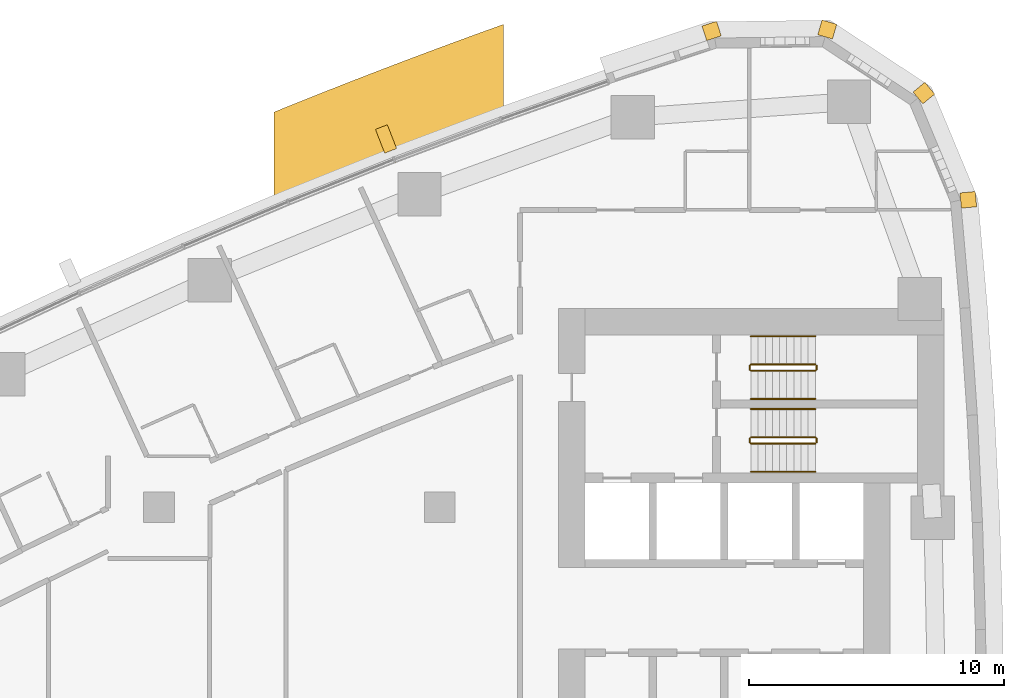
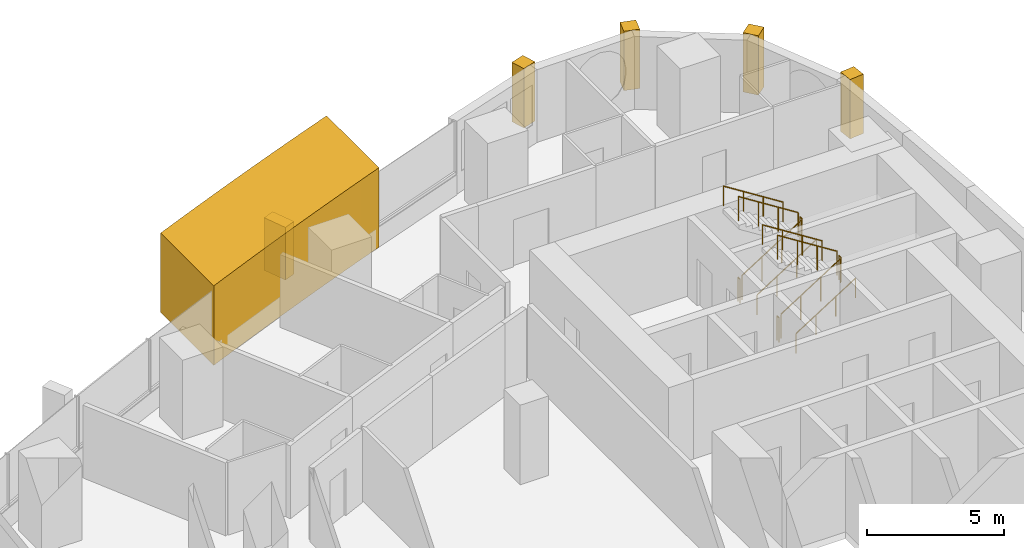
# One storey, part 17 of 17: 12 railings, 6 coverings.
"""IFC4 building model written with IfcOpenShell, lengths in metres."""

from ifc_helpers import new_model, si_unit, direction, frame, frame_2d, origin, origin_2d, place, context, subcontext, project, spatial, polyline, rectangle, circle, outline, extrude, material, layer, layer_set, type_object, element, save


model = new_model("IFC4")

# Units and contexts
model_context = context("Model", 3, precision=1e-05, world=origin(), true_north=direction((0.0, 1.0)))
body_context = subcontext(model_context, "Body", "Model", "MODEL_VIEW")
ifc_project = project(units=[si_unit("LENGTHUNIT", "METRE"), si_unit("AREAUNIT", "SQUARE_METRE"), si_unit("VOLUMEUNIT", "CUBIC_METRE"), si_unit("PLANEANGLEUNIT", "RADIAN"), si_unit("MASSUNIT", "GRAM", prefix="KILO")], contexts=[model_context])

# Site, building, storey
site_placement = place(None, origin())
site = spatial("IfcSite", under=ifc_project, at=site_placement, CompositionType="ELEMENT")
building_placement = place(site_placement, origin())
building = spatial("IfcBuilding", under=site, at=building_placement, Name="Ostrand Prow Hotel Tower", CompositionType="ELEMENT")
storey_placement = place(building_placement, frame((0.0, 0.0, 102.64990234375)))
storey = spatial("IfcBuildingStorey", under=building, at=storey_placement, Name="L24", CompositionType="ELEMENT", Elevation=102.64990234375)

# Coverings
ifc_material_1 = material(Name="Limestone cladding", Category="masonry")
ifc_layer_1 = layer(ifc_material_1, 5.0)
ifc_layer_set_1 = layer_set([ifc_layer_1], Name="Limestone cladding")
covering_type_1 = type_object("IfcCoveringType", Name="Portal jamb pilaster limestone", PredefinedType="CLADDING", material=ifc_layer_set_1)
covering_1_placement = place(storey_placement, origin())
element("IfcCovering", 1, at=covering_1_placement, inside=storey, type_object=covering_type_1, Name="Portal jamb NB L24", PredefinedType="CLADDING", context=body_context, shape_type="SweptSolid", body=[
    extrude(outline(polyline([(38.5, 20.59423828125), (39.5, 21.006103515625), (40.5, 21.412353515625), (41.5, 21.812744140625), (42.5, 22.207763671875), (43.5, 22.59716796875), (44.5, 22.98095703125), (45.5, 23.359130859375), (46.5, 23.732177734375), (47.5, 24.099609375), (47.5, 27.927490234375), (46.5, 27.566650390625), (45.5, 27.200439453125), (44.5, 26.8291015625), (43.5, 26.4521484375), (42.5, 26.06982421875), (41.5, 25.68212890625), (40.5, 25.2890625), (39.5, 24.890380859375), (38.5, 24.486083984375), (38.5, 20.59423828125)])), origin(), (0.0, 0.0, 1.0), 3.550048828125),
])
ifc_material_2 = material(Name="Limestone cladding", Category="masonry")
ifc_layer_2 = layer(ifc_material_2, 0.5)
ifc_layer_set_2 = layer_set([ifc_layer_2], Name="Limestone cladding")
covering_type_2 = type_object("IfcCoveringType", Name="Precast stone fin 500x900", PredefinedType="CLADDING", material=ifc_layer_set_2)
covering_2_placement = place(storey_placement, frame((43.0791015625, 22.97021484375, 0.900146484375), z_axis=(0.0, 0.0, 1.0), x_axis=(-0.361774694157, 0.932265558019, 0.0)))
element("IfcCovering", 2, at=covering_2_placement, inside=storey, type_object=covering_type_2, Name="Stone fin N 3", PredefinedType="CLADDING", context=body_context, shape_type="SweptSolid", body=[
    extrude(rectangle(XDim=1.0, YDim=0.5, at=frame_2d((0.5, 0.0))), origin(), (0.0, 0.0, 1.0), 2.349853515625),
])
ifc_material_3 = material(Name="Limestone cladding", Category="masonry")
ifc_layer_3 = layer(ifc_material_3, 0.60009765625)
ifc_layer_set_3 = layer_set([ifc_layer_3], Name="Limestone cladding")
covering_type_3 = type_object("IfcCoveringType", Name="Precast stone prow rib 600x600", PredefinedType="CLADDING", material=ifc_layer_set_3)
for number, where, z_axis, x_axis, name in (
    (3, (65.41650390625, 21.02099609375, 0.60009765625), (0.0, 0.0, 1.0), (0.99529571972, 0.096883591531, 0.0), "Stone corner rib 15a"),
    (4, (63.74365234375, 25.043212890625, 0.60009765625), (0.0, 0.0, 1.0), (0.770318500913, 0.637659319034, 0.0), "Stone corner rib 16a"),
):
    element("IfcCovering", number, at=place(storey_placement, frame(where, z_axis=z_axis, x_axis=x_axis)), inside=storey, type_object=covering_type_3, Name=name, PredefinedType="CLADDING", context=body_context, shape_type="SweptSolid", body=[
        extrude(rectangle(XDim=0.599853515625, YDim=0.60009765625, at=frame_2d((0.2998046875, 0.0))), origin(), (0.0, 0.0, 1.0), 2.64990234375),
    ])
covering_3_placement = place(storey_placement, frame((60.104736328125, 27.437744140625, 0.60009765625), z_axis=(0.0, 0.0, 1.0), x_axis=(0.280734221166, 0.959785547436, 0.0)))
element("IfcCovering", 5, at=covering_3_placement, inside=storey, type_object=covering_type_3, Name="Stone corner rib 17a", PredefinedType="CLADDING", context=body_context, shape_type="SweptSolid", body=[
    extrude(rectangle(XDim=0.60009765625, YDim=0.60009765625, at=frame_2d((0.300048828125, 0.0))), origin(), (0.0, 0.0, 1.0), 2.64990234375),
])
covering_4_placement = place(storey_placement, frame((55.7490234375, 27.3828125, 0.60009765625), z_axis=(0.0, 0.0, 1.0), x_axis=(-0.305218682065, 0.952282288042, 0.0)))
element("IfcCovering", 6, at=covering_4_placement, inside=storey, type_object=covering_type_3, Name="Stone corner rib 17b", PredefinedType="CLADDING", context=body_context, shape_type="SweptSolid", body=[
    extrude(rectangle(XDim=0.599853515625, YDim=0.60009765625, at=frame_2d((0.2998046875, 0.0))), origin(), (0.0, 0.0, 1.0), 2.64990234375),
])

# Railings
ifc_material_4 = material(Name="Painted steel", Category="steel")
railing_type_1 = type_object("IfcRailingType", Name="Stair guard 1100", PredefinedType="GUARDRAIL", material=ifc_material_4)
railing_1_placement = place(storey_placement, frame((57.199951171875, 11.5, 0.177490234375)))
element("IfcRailing", 7, at=railing_1_placement, inside=storey, type_object=railing_type_1, Name="L24 ST1C stair guard 1", PredefinedType="GUARDRAIL", context=body_context, shape_type="SweptSolid", body=[
    extrude(circle(Radius=0.02392578125, at=origin_2d()), frame((0.0, 0.0, 1.076171875), z_axis=(0.84456994832, 0.0, 0.535445237532), x_axis=(0.0, 1.0, 0.0)), (0.0, 0.0, 1.0), 2.98388671875),
    extrude(circle(Radius=0.02099609375, at=origin_2d()), origin(), (0.0, 0.0, 1.0), 1.052001953125),
    extrude(circle(Radius=0.02099609375, at=origin_2d()), frame((0.840087890625, 0.0, 0.532470703125)), (0.0, 0.0, 1.0), 1.052001953125),
    extrude(circle(Radius=0.02099609375, at=origin_2d()), frame((1.679931640625, 0.0, 1.065185546875)), (0.0, 0.0, 1.0), 1.052001953125),
    extrude(circle(Radius=0.02099609375, at=origin_2d()), frame((2.52001953125, 0.0, 1.59765625)), (0.0, 0.0, 1.0), 1.052001953125),
])
railing_2_placement = place(storey_placement, frame((59.77001953125, 11.550048828125, 1.775146484375)))
element("IfcRailing", 8, at=railing_2_placement, inside=storey, type_object=railing_type_1, Name="L24 ST1C stair guard 2", PredefinedType="GUARDRAIL", context=body_context, shape_type="SweptSolid", body=[
    extrude(circle(Radius=0.02392578125, at=origin_2d()), frame((0.0, 0.0, 1.076171875), z_axis=(0.0, 1.0, 0.0), x_axis=(-1.0, 0.0, 0.0)), (0.0, 0.0, 1.0), 0.14990234375),
    extrude(circle(Radius=0.02099609375, at=origin_2d()), origin(), (0.0, 0.0, 1.0), 1.052001953125),
    extrude(circle(Radius=0.02099609375, at=origin_2d()), frame((0.0, 0.14990234375, 0.0)), (0.0, 0.0, 1.0), 1.052001953125),
])
railing_3_placement = place(storey_placement, frame((59.719970703125, 11.75, 1.95263671875)))
element("IfcRailing", 9, at=railing_3_placement, inside=storey, type_object=railing_type_1, Name="L24 ST1C stair guard 3", PredefinedType="GUARDRAIL", context=body_context, shape_type="SweptSolid", body=[
    extrude(circle(Radius=0.02392578125, at=origin_2d()), frame((0.0, 0.0, 1.076171875), z_axis=(-0.84460694969, 0.0, 0.535386869969), x_axis=(0.0, -1.0, 0.0)), (0.0, 0.0, 1.0), 2.983642578125),
    extrude(circle(Radius=0.02099609375, at=origin_2d()), origin(), (0.0, 0.0, 1.0), 1.052001953125),
    extrude(circle(Radius=0.02099609375, at=origin_2d()), frame((-0.840087890625, 0.0, 0.532470703125)), (0.0, 0.0, 1.0), 1.052001953125),
    extrude(circle(Radius=0.02099609375, at=origin_2d()), frame((-1.679931640625, 0.0, 1.06494140625)), (0.0, 0.0, 1.0), 1.052001953125),
    extrude(circle(Radius=0.02099609375, at=origin_2d()), frame((-2.52001953125, 0.0, 1.597412109375)), (0.0, 0.0, 1.0), 1.052001953125),
])
railing_4_placement = place(storey_placement, frame((57.14990234375, 11.550048828125, 0.0)))
element("IfcRailing", 10, at=railing_4_placement, inside=storey, type_object=railing_type_1, Name="L24 ST1C stair guard 4", PredefinedType="GUARDRAIL", context=body_context, shape_type="SweptSolid", body=[
    extrude(circle(Radius=0.02392578125, at=origin_2d()), frame((0.0, 0.0, 1.076171875), z_axis=(0.0, 1.0, 0.0), x_axis=(-1.0, 0.0, 0.0)), (0.0, 0.0, 1.0), 0.14990234375),
    extrude(circle(Radius=0.02099609375, at=origin_2d()), origin(), (0.0, 0.0, 1.0), 1.052001953125),
    extrude(circle(Radius=0.02099609375, at=origin_2d()), frame((0.0, 0.14990234375, 0.0)), (0.0, 0.0, 1.0), 1.052001953125),
])
railing_5_placement = place(storey_placement, frame((57.199951171875, 14.35009765625, 0.177490234375)))
element("IfcRailing", 11, at=railing_5_placement, inside=storey, type_object=railing_type_1, Name="L24 ST3C stair guard 1", PredefinedType="GUARDRAIL", context=body_context, shape_type="SweptSolid", body=[
    extrude(circle(Radius=0.02392578125, at=origin_2d()), frame((0.0, 0.0, 1.076171875), z_axis=(0.84456994832, 0.0, 0.535445237532), x_axis=(0.0, 1.0, 0.0)), (0.0, 0.0, 1.0), 2.98388671875),
    extrude(circle(Radius=0.02099609375, at=origin_2d()), origin(), (0.0, 0.0, 1.0), 1.052001953125),
    extrude(circle(Radius=0.02099609375, at=origin_2d()), frame((0.840087890625, 0.0, 0.532470703125)), (0.0, 0.0, 1.0), 1.052001953125),
    extrude(circle(Radius=0.02099609375, at=origin_2d()), frame((1.679931640625, 0.0, 1.065185546875)), (0.0, 0.0, 1.0), 1.052001953125),
    extrude(circle(Radius=0.02099609375, at=origin_2d()), frame((2.52001953125, 0.0, 1.59765625)), (0.0, 0.0, 1.0), 1.052001953125),
])
railing_6_placement = place(storey_placement, frame((59.77001953125, 14.39990234375, 1.775146484375)))
element("IfcRailing", 12, at=railing_6_placement, inside=storey, type_object=railing_type_1, Name="L24 ST3C stair guard 2", PredefinedType="GUARDRAIL", context=body_context, shape_type="SweptSolid", body=[
    extrude(circle(Radius=0.02392578125, at=origin_2d()), frame((0.0, 0.0, 1.076171875), z_axis=(0.0, 1.0, 0.0), x_axis=(-1.0, 0.0, 0.0)), (0.0, 0.0, 1.0), 0.150146484375),
    extrude(circle(Radius=0.02099609375, at=origin_2d()), origin(), (0.0, 0.0, 1.0), 1.052001953125),
    extrude(circle(Radius=0.02099609375, at=origin_2d()), frame((0.0, 0.150146484375, 0.0)), (0.0, 0.0, 1.0), 1.052001953125),
])
railing_7_placement = place(storey_placement, frame((59.719970703125, 14.60009765625, 1.95263671875)))
element("IfcRailing", 13, at=railing_7_placement, inside=storey, type_object=railing_type_1, Name="L24 ST3C stair guard 3", PredefinedType="GUARDRAIL", context=body_context, shape_type="SweptSolid", body=[
    extrude(circle(Radius=0.02392578125, at=origin_2d()), frame((0.0, 0.0, 1.076171875), z_axis=(-0.84460694969, 0.0, 0.535386869969), x_axis=(0.0, -1.0, 0.0)), (0.0, 0.0, 1.0), 2.983642578125),
    extrude(circle(Radius=0.02099609375, at=origin_2d()), origin(), (0.0, 0.0, 1.0), 1.052001953125),
    extrude(circle(Radius=0.02099609375, at=origin_2d()), frame((-0.840087890625, 0.0, 0.532470703125)), (0.0, 0.0, 1.0), 1.052001953125),
    extrude(circle(Radius=0.02099609375, at=origin_2d()), frame((-1.679931640625, 0.0, 1.06494140625)), (0.0, 0.0, 1.0), 1.052001953125),
    extrude(circle(Radius=0.02099609375, at=origin_2d()), frame((-2.52001953125, 0.0, 1.597412109375)), (0.0, 0.0, 1.0), 1.052001953125),
])
railing_8_placement = place(storey_placement, frame((57.14990234375, 14.39990234375, 0.0)))
element("IfcRailing", 14, at=railing_8_placement, inside=storey, type_object=railing_type_1, Name="L24 ST3C stair guard 4", PredefinedType="GUARDRAIL", context=body_context, shape_type="SweptSolid", body=[
    extrude(circle(Radius=0.02392578125, at=origin_2d()), frame((0.0, 0.0, 1.076171875), z_axis=(0.0, 1.0, 0.0), x_axis=(-1.0, 0.0, 0.0)), (0.0, 0.0, 1.0), 0.150146484375),
    extrude(circle(Radius=0.02099609375, at=origin_2d()), origin(), (0.0, 0.0, 1.0), 1.052001953125),
    extrude(circle(Radius=0.02099609375, at=origin_2d()), frame((0.0, 0.150146484375, 0.0)), (0.0, 0.0, 1.0), 1.052001953125),
])
ifc_material_5 = material(Name="Stainless steel", Category="steel")
railing_type_2 = type_object("IfcRailingType", Name="Stair handrail 900", PredefinedType="HANDRAIL", material=ifc_material_5)
railing_9_placement = place(storey_placement, frame((57.199951171875, 10.39990234375, 0.177490234375)))
element("IfcRailing", 15, at=railing_9_placement, inside=storey, type_object=railing_type_2, Name="L24 ST1C stair handrail 1", PredefinedType="HANDRAIL", context=body_context, shape_type="SweptSolid", body=[
    extrude(circle(Radius=0.02392578125, at=origin_2d()), frame((0.0, 0.0, 0.8759765625), z_axis=(0.84456994832, 0.0, 0.535445237532), x_axis=(0.0, 1.0, 0.0)), (0.0, 0.0, 1.0), 2.98388671875),
    extrude(circle(Radius=0.02099609375, at=origin_2d()), origin(), (0.0, 0.0, 1.0), 0.851806640625),
    extrude(circle(Radius=0.02099609375, at=origin_2d()), frame((0.840087890625, 0.0, 0.532470703125)), (0.0, 0.0, 1.0), 0.851806640625),
    extrude(circle(Radius=0.02099609375, at=origin_2d()), frame((1.679931640625, 0.0, 1.065185546875)), (0.0, 0.0, 1.0), 0.851806640625),
    extrude(circle(Radius=0.02099609375, at=origin_2d()), frame((2.52001953125, 0.0, 1.59765625)), (0.0, 0.0, 1.0), 0.851806640625),
])
railing_10_placement = place(storey_placement, frame((59.719970703125, 12.85009765625, 1.95263671875)))
element("IfcRailing", 16, at=railing_10_placement, inside=storey, type_object=railing_type_2, Name="L24 ST1C stair handrail 2", PredefinedType="HANDRAIL", context=body_context, shape_type="SweptSolid", body=[
    extrude(circle(Radius=0.02392578125, at=origin_2d()), frame((0.0, 0.0, 0.8759765625), z_axis=(-0.84460694969, 0.0, 0.535386869969), x_axis=(0.0, -1.0, 0.0)), (0.0, 0.0, 1.0), 2.983642578125),
    extrude(circle(Radius=0.02099609375, at=origin_2d()), origin(), (0.0, 0.0, 1.0), 0.851806640625),
    extrude(circle(Radius=0.02099609375, at=origin_2d()), frame((-0.840087890625, 0.0, 0.532470703125)), (0.0, 0.0, 1.0), 0.851806640625),
    extrude(circle(Radius=0.02099609375, at=origin_2d()), frame((-1.679931640625, 0.0, 1.06494140625)), (0.0, 0.0, 1.0), 0.851806640625),
    extrude(circle(Radius=0.02099609375, at=origin_2d()), frame((-2.52001953125, 0.0, 1.597412109375)), (0.0, 0.0, 1.0), 0.851806640625),
])
railing_11_placement = place(storey_placement, frame((57.199951171875, 13.25, 0.177490234375)))
element("IfcRailing", 17, at=railing_11_placement, inside=storey, type_object=railing_type_2, Name="L24 ST3C stair handrail 1", PredefinedType="HANDRAIL", context=body_context, shape_type="SweptSolid", body=[
    extrude(circle(Radius=0.02392578125, at=origin_2d()), frame((0.0, 0.0, 0.8759765625), z_axis=(0.84456994832, 0.0, 0.535445237532), x_axis=(0.0, 1.0, 0.0)), (0.0, 0.0, 1.0), 2.98388671875),
    extrude(circle(Radius=0.02099609375, at=origin_2d()), origin(), (0.0, 0.0, 1.0), 0.851806640625),
    extrude(circle(Radius=0.02099609375, at=origin_2d()), frame((0.840087890625, 0.0, 0.532470703125)), (0.0, 0.0, 1.0), 0.851806640625),
    extrude(circle(Radius=0.02099609375, at=origin_2d()), frame((1.679931640625, 0.0, 1.065185546875)), (0.0, 0.0, 1.0), 0.851806640625),
    extrude(circle(Radius=0.02099609375, at=origin_2d()), frame((2.52001953125, 0.0, 1.59765625)), (0.0, 0.0, 1.0), 0.851806640625),
])
railing_12_placement = place(storey_placement, frame((59.719970703125, 15.699951171875, 1.95263671875)))
element("IfcRailing", 18, at=railing_12_placement, inside=storey, type_object=railing_type_2, Name="L24 ST3C stair handrail 2", PredefinedType="HANDRAIL", context=body_context, shape_type="SweptSolid", body=[
    extrude(circle(Radius=0.02392578125, at=origin_2d()), frame((0.0, 0.0, 0.8759765625), z_axis=(-0.84460694969, 0.0, 0.535386869969), x_axis=(0.0, -1.0, 0.0)), (0.0, 0.0, 1.0), 2.983642578125),
    extrude(circle(Radius=0.02099609375, at=origin_2d()), origin(), (0.0, 0.0, 1.0), 0.851806640625),
    extrude(circle(Radius=0.02099609375, at=origin_2d()), frame((-0.840087890625, 0.0, 0.532470703125)), (0.0, 0.0, 1.0), 0.851806640625),
    extrude(circle(Radius=0.02099609375, at=origin_2d()), frame((-1.679931640625, 0.0, 1.06494140625)), (0.0, 0.0, 1.0), 0.851806640625),
    extrude(circle(Radius=0.02099609375, at=origin_2d()), frame((-2.52001953125, 0.0, 1.597412109375)), (0.0, 0.0, 1.0), 0.851806640625),
])

save(model, "model.ifc")
